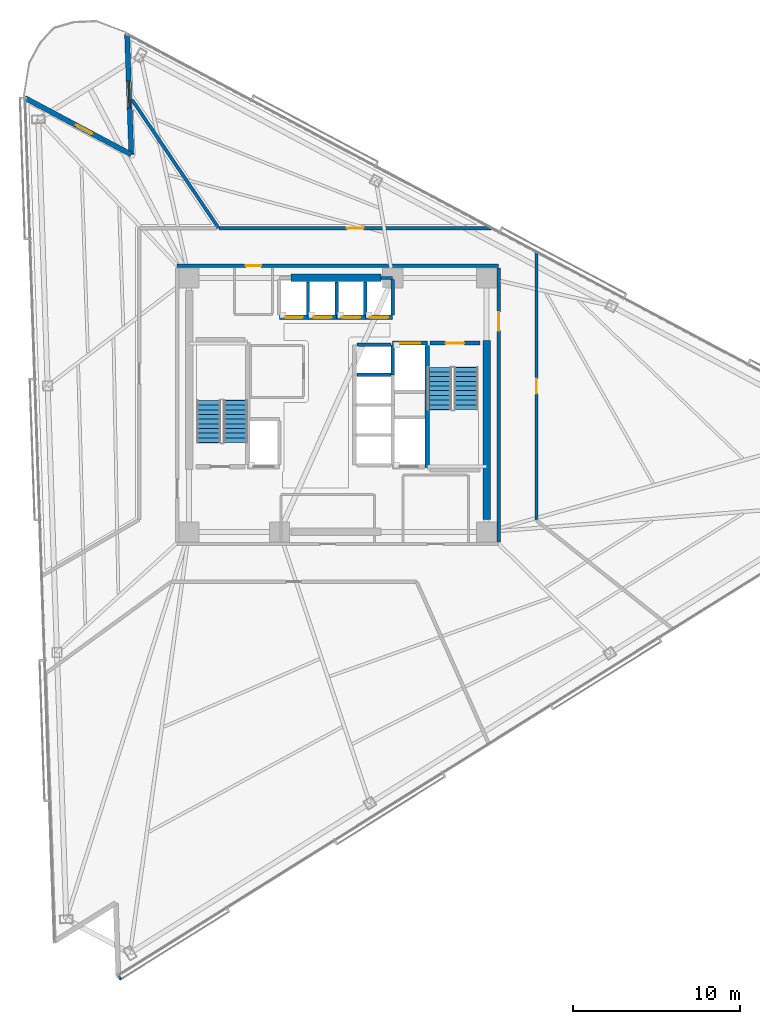
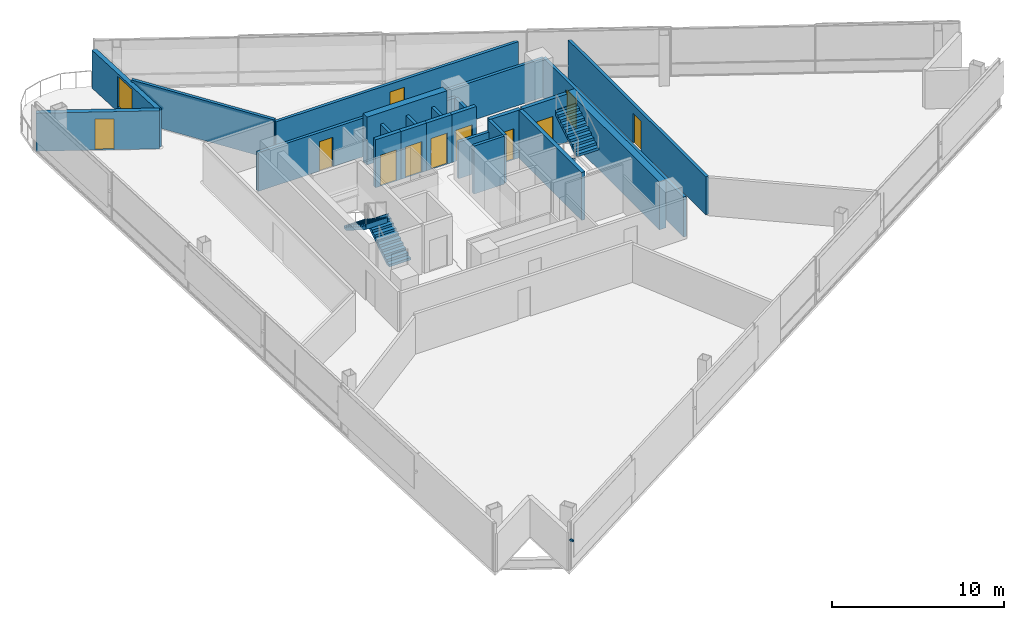
# One storey, part 13 of 18: 24 walls, 11 doors, 4 stair flights, 1 discrete accessory, 1 window, 12 openings, 2 elements without a shape of their own.
"""IFC4 building model written with IfcOpenShell, lengths in metres."""

from ifc_helpers import new_model, si_unit, direction, frame, frame_2d, origin, origin_2d, place, context, subcontext, project, spatial, polyline, rectangle, outline, extrude, material, layer, layer_set, type_object, element, fill, aggregate, save


model = new_model("IFC4")

# Units and contexts
model_context = context("Model", 3, precision=1e-05, world=origin(), true_north=direction((0.0, 1.0)))
body_context = subcontext(model_context, "Body", "Model", "MODEL_VIEW")
ifc_project = project(units=[si_unit("LENGTHUNIT", "METRE"), si_unit("AREAUNIT", "SQUARE_METRE"), si_unit("VOLUMEUNIT", "CUBIC_METRE"), si_unit("PLANEANGLEUNIT", "RADIAN"), si_unit("MASSUNIT", "GRAM", prefix="KILO")], contexts=[model_context])

# Site, building, storey
site_placement = place(None, origin())
site = spatial("IfcSite", under=ifc_project, at=site_placement, CompositionType="ELEMENT")
building_placement = place(site_placement, origin())
building = spatial("IfcBuilding", under=site, at=building_placement, Name="Tharavind Bronze Gate", CompositionType="ELEMENT")
storey_placement = place(building_placement, frame((0.0, 0.0, 153.199951171875)))
storey = spatial("IfcBuildingStorey", under=building, at=storey_placement, Name="L39", CompositionType="ELEMENT", Elevation=153.199951171875)

# Wall, opening, window
ifc_material_1 = material(Name="Concrete C40/50", Category="concrete")
ifc_layer_1 = layer(ifc_material_1, 0.300048828125)
ifc_layer_set_1 = layer_set([ifc_layer_1], Name="Concrete C40/50")
wall_type_1 = type_object("IfcWallType", Name="EXTERIOR SPANDREL WALL 300", PredefinedType="STANDARD", material=ifc_layer_set_1)
wall_1_placement = place(storey_placement, frame((-12.614013671875, 22.179931640625, 0.0), z_axis=(0.0, 0.0, 1.0), x_axis=(0.034925918675, -0.999389903994, 0.0)))
wall_1 = element("IfcWall", 1, at=wall_1_placement, inside=storey, type_object=wall_type_1, Name="L39 notch cheek wall 1A", PredefinedType="STANDARD", context=body_context, shape_type="SweptSolid", body=[
    extrude(rectangle(XDim=7.199951171875, YDim=0.300048828125, at=frame_2d((3.60009765625, 0.0))), origin(), (0.0, 0.0, 1.0), 2.705078125),
])
opening_1_placement = place(wall_1_placement, frame((2.800048828125, 0.0, 0.324951171875)))
opening_1 = element("IfcOpeningElement", 2, at=opening_1_placement, cuts=wall_1, Name="Opening W05", PredefinedType="OPENING", context=body_context, shape_type="SweptSolid", body=[
    extrude(rectangle(XDim=1.60009765625, YDim=2.199951171875, at=frame_2d((0.800048828125, 1.10009765625))), frame((0.0, 0.15990234375, 0.0), z_axis=(0.0, -1.0, 0.0), x_axis=(1.0, 0.0, 0.0)), (0.0, 0.0, 1.0), 0.320048828125),
])
ifc_material_2 = material(Name="Bronze Aluminium & Low-E Glass", Category="aluminium")
window_type = type_object("IfcWindowType", Name="OFFICE NOTCH BRONZE WINDOW 1600X2200", PartitioningType="DOUBLE_PANEL_VERTICAL", PredefinedType="WINDOW", material=ifc_material_2)
window_placement = place(opening_1_placement, origin())
window = element("IfcWindow", 3, at=window_placement, inside=storey, type_object=window_type, Name="L39 exterior window WL-L39-NCB1-01", OverallHeight=2.199951171875, OverallWidth=1.60009765625, PartitioningType="SINGLE_PANEL", PredefinedType="WINDOW", context=body_context, shape_type="SweptSolid", body=[
    extrude(rectangle(XDim=1.60009765625, YDim=2.199951171875, at=frame_2d((0.800048828125, 1.10009765625))), frame((0.0, 0.030029296875, 0.0), z_axis=(0.0, -1.0, 0.0), x_axis=(1.0, 0.0, 0.0)), (0.0, 0.0, 1.0), 0.06005859375),
])
fill(opening_1, window)

# Wall, opening, door
wall_2_placement = place(storey_placement, frame((-12.362548828125, 14.984375, 0.0), z_axis=(0.0, 0.0, 1.0), x_axis=(-0.882950149473, 0.469466754463, 0.0)))
wall_2 = element("IfcWall", 4, at=wall_2_placement, inside=storey, type_object=wall_type_1, Name="L39 notch cheek wall 1B", PredefinedType="STANDARD", context=body_context, shape_type="SweptSolid", body=[
    extrude(rectangle(XDim=7.199951171875, YDim=0.300048828125, at=frame_2d((3.60009765625, 0.0))), origin(), (0.0, 0.0, 1.0), 2.705078125),
])
opening_2_placement = place(wall_2_placement, frame((2.654052734375, 0.0, 0.0)))
opening_2 = element("IfcOpeningElement", 5, at=opening_2_placement, cuts=wall_2, Name="Opening ED04", PredefinedType="OPENING", context=body_context, shape_type="SweptSolid", body=[
    extrude(rectangle(XDim=1.10009765625, YDim=2.199951171875, at=frame_2d((0.550048828125, 1.10009765625))), frame((0.0, 0.15990234375, 0.0), z_axis=(0.0, -1.0, 0.0), x_axis=(1.0, 0.0, 0.0)), (0.0, 0.0, 1.0), 0.320048828125),
])
ifc_material_3 = material(Name="Bronze Aluminium & Toughened Glass", Category="aluminium")
door_type_1 = type_object("IfcDoorType", Name="TREE BALCONY ACCESS DOOR 1100X2200", OperationType="SINGLE_SWING_LEFT", PredefinedType="DOOR", material=ifc_material_3)
door_1_placement = place(opening_2_placement, frame((1.10009765625, 0.0, 0.0), z_axis=(0.0, 0.0, 1.0), x_axis=(-1.0, 0.0, 0.0)))
door_1 = element("IfcDoor", 6, at=door_1_placement, inside=storey, type_object=door_type_1, Name="L39 tree balcony access door", OperationType="SINGLE_SWING_LEFT", OverallHeight=2.199951171875, OverallWidth=1.10009765625, PredefinedType="DOOR", context=body_context, shape_type="SweptSolid", body=[
    extrude(rectangle(XDim=1.10009765625, YDim=2.199951171875, at=frame_2d((0.550048828125, 1.10009765625))), frame((0.0, 0.02490234375, 0.0), z_axis=(0.0, -1.0, 0.0), x_axis=(1.0, 0.0, 0.0)), (0.0, 0.0, 1.0), 0.050048828125),
])
fill(opening_2, door_1)

ifc_material_4 = material(Name="Aerated Concrete Block", Category="concrete")
ifc_layer_2 = layer(ifc_material_4, 0.199951171875)
ifc_layer_set_2 = layer_set([ifc_layer_2], Name="Aerated Concrete Block")
wall_type_2 = type_object("IfcWallType", Name="FIRE RATED PARTITION 200", PredefinedType="PARTITIONING", material=ifc_layer_set_2)
wall_3_placement = place(storey_placement, frame((9.6201171875, 8.320068359375, 0.0), z_axis=(0.0, 0.0, 1.0), x_axis=(-1.0, 0.0, 0.0)))
wall_3 = element("IfcWall", 7, at=wall_3_placement, inside=storey, type_object=wall_type_2, Name="L39 north core corridor wall", PredefinedType="PARTITIONING", context=body_context, shape_type="SweptSolid", body=[
    extrude(rectangle(XDim=19.240234375, YDim=0.199951171875, at=frame_2d((9.6201171875, 0.0))), origin(), (0.0, 0.0, 1.0), 2.755126953125),
])
opening_3_placement = place(wall_3_placement, frame((14.219970703125, 0.0, 0.0)))
opening_3 = element("IfcOpeningElement", 8, at=opening_3_placement, cuts=wall_3, Name="Opening ID07", PredefinedType="OPENING", context=body_context, shape_type="SweptSolid", body=[
    extrude(rectangle(XDim=0.89990234375, YDim=2.10009765625, at=frame_2d((0.449951171875, 1.050048828125))), frame((0.0, 0.11009765625, 0.0), z_axis=(0.0, -1.0, 0.0), x_axis=(1.0, 0.0, 0.0)), (0.0, 0.0, 1.0), 0.219951171875),
])
ifc_material_5 = material(Name="Galvanised Fire Steel", Category="steel")
door_type_2 = type_object("IfcDoorType", Name="PLANT AND RISER FIRE DOOR 900X2100", OperationType="SINGLE_SWING_LEFT", PredefinedType="DOOR", material=ifc_material_5)
door_2_placement = place(opening_3_placement, origin())
door_2 = element("IfcDoor", 9, at=door_2_placement, inside=storey, type_object=door_type_2, Name="L39 Electrical Switch Cupboard fire door", OperationType="SINGLE_SWING_LEFT", OverallHeight=2.10009765625, OverallWidth=0.89990234375, PredefinedType="DOOR", context=body_context, shape_type="SweptSolid", body=[
    extrude(rectangle(XDim=0.89990234375, YDim=2.10009765625, at=frame_2d((0.449951171875, 1.050048828125))), frame((0.0, 0.02490234375, 0.0), z_axis=(0.0, -1.0, 0.0), x_axis=(1.0, 0.0, 0.0)), (0.0, 0.0, 1.0), 0.050048828125),
])
fill(opening_3, door_2)

wall_4_placement = place(storey_placement, frame((9.6201171875, -8.199951171875, 0.0), z_axis=(0.0, 0.0, 1.0), x_axis=(0.0, 1.0, 0.0)))
wall_4 = element("IfcWall", 10, at=wall_4_placement, inside=storey, type_object=wall_type_2, Name="L39 east core corridor wall", PredefinedType="PARTITIONING", context=body_context, shape_type="SweptSolid", body=[
    extrude(rectangle(XDim=16.39990234375, YDim=0.199951171875, at=frame_2d((8.199951171875, 0.0))), origin(), (0.0, 0.0, 1.0), 2.85498046875),
])
opening_4_placement = place(wall_4_placement, frame((12.64990234375, 0.0, 0.0)))
opening_4 = element("IfcOpeningElement", 11, at=opening_4_placement, cuts=wall_4, Name="Opening ID01", PredefinedType="OPENING", context=body_context, shape_type="SweptSolid", body=[
    extrude(rectangle(XDim=1.10009765625, YDim=2.14990234375, at=frame_2d((0.550048828125, 1.074951171875))), frame((0.0, 0.11009765625, 0.0), z_axis=(0.0, -1.0, 0.0), x_axis=(1.0, 0.0, 0.0)), (0.0, 0.0, 1.0), 0.219951171875),
])
ifc_material_6 = material(Name="Fire-Rated Steel", Category="steel")
door_type_3 = type_object("IfcDoorType", Name="STAIR CORE FIRE DOOR 1100X2150", OperationType="SINGLE_SWING_LEFT", PredefinedType="DOOR", material=ifc_material_6)
door_3_placement = place(opening_4_placement, frame((1.10009765625, 0.0, 0.0), z_axis=(0.0, 0.0, 1.0), x_axis=(-1.0, 0.0, 0.0)))
door_3 = element("IfcDoor", 12, at=door_3_placement, inside=storey, type_object=door_type_3, Name="L39 north east stair lobby fire door", OperationType="SINGLE_SWING_LEFT", OverallHeight=2.14990234375, OverallWidth=1.10009765625, PredefinedType="DOOR", context=body_context, shape_type="SweptSolid", body=[
    extrude(rectangle(XDim=1.10009765625, YDim=2.14990234375, at=frame_2d((0.550048828125, 1.074951171875))), frame((0.0, 0.02490234375, 0.0), z_axis=(0.0, -1.0, 0.0), x_axis=(1.0, 0.0, 0.0)), (0.0, 0.0, 1.0), 0.050048828125),
])
fill(opening_4, door_3)

wall_5_placement = place(storey_placement, frame((9.202392578125, 10.580078125, 0.0), z_axis=(0.0, 0.0, 1.0), x_axis=(-1.0, 0.0, 0.0)))
wall_5 = element("IfcWall", 13, at=wall_5_placement, inside=storey, type_object=wall_type_2, Name="L39 Industrial Design Open Studio partition", PredefinedType="PARTITIONING", context=body_context, shape_type="SweptSolid", body=[
    extrude(rectangle(XDim=16.325439453125, YDim=0.199951171875, at=frame_2d((8.16259765625, 0.0))), origin(), (0.0, 0.0, 1.0), 2.705078125),
])
opening_5_placement = place(wall_5_placement, frame((7.6630859375, 0.0, 0.0)))
opening_5 = element("IfcOpeningElement", 14, at=opening_5_placement, cuts=wall_5, Name="Opening ID04", PredefinedType="OPENING", context=body_context, shape_type="SweptSolid", body=[
    extrude(rectangle(XDim=1.0, YDim=2.14990234375, at=frame_2d((0.5, 1.074951171875))), frame((0.0, 0.11009765625, 0.0), z_axis=(0.0, -1.0, 0.0), x_axis=(1.0, 0.0, 0.0)), (0.0, 0.0, 1.0), 0.219951171875),
])
ifc_material_7 = material(Name="Bronze Framed Acoustic Timber", Category="wood")
door_type_4 = type_object("IfcDoorType", Name="OFFICE TENANCY DOOR 1000X2150", OperationType="SINGLE_SWING_RIGHT", PredefinedType="DOOR", material=ifc_material_7)
door_4_placement = place(opening_5_placement, origin())
door_4 = element("IfcDoor", 15, at=door_4_placement, inside=storey, type_object=door_type_4, Name="L39 Industrial Design Open Studio door", OperationType="SINGLE_SWING_RIGHT", OverallHeight=2.14990234375, OverallWidth=1.0, PredefinedType="DOOR", context=body_context, shape_type="SweptSolid", body=[
    extrude(rectangle(XDim=1.0, YDim=2.14990234375, at=frame_2d((0.5, 1.074951171875))), frame((0.0, 0.02490234375, 0.0), z_axis=(0.0, -1.0, 0.0), x_axis=(1.0, 0.0, 0.0)), (0.0, 0.0, 1.0), 0.050048828125),
])
fill(opening_5, door_4)

# Wall
wall_6_placement = place(storey_placement, frame((-7.143798828125, 10.591064453125, 0.0), z_axis=(0.0, 0.0, 1.0), x_axis=(-0.559200245239, 0.829032620423, 0.0)))
element("IfcWall", 16, at=wall_6_placement, inside=storey, type_object=wall_type_2, Name="L39 Industrial Design Open Studio partition", PredefinedType="PARTITIONING", context=body_context, shape_type="SweptSolid", body=[
    extrude(rectangle(XDim=9.260498046875, YDim=0.199951171875, at=frame_2d((4.63037109375, 0.0))), origin(), (0.0, 0.0, 1.0), 2.85498046875),
])

# Wall, opening, door
wall_7_placement = place(storey_placement, frame((11.8798828125, -6.891357421875, 0.0), z_axis=(0.0, 0.0, 1.0), x_axis=(0.0, 1.0, 0.0)))
wall_7 = element("IfcWall", 17, at=wall_7_placement, inside=storey, type_object=wall_type_2, Name="L39 Design Tea Pantry partition", PredefinedType="PARTITIONING", context=body_context, shape_type="SweptSolid", body=[
    extrude(rectangle(XDim=16.047607421875, YDim=0.199951171875, at=frame_2d((8.02392578125, 0.0))), origin(), (0.0, 0.0, 1.0), 2.705078125),
])
opening_6_placement = place(wall_7_placement, frame((7.573974609375, 0.0, 0.0)))
opening_6 = element("IfcOpeningElement", 18, at=opening_6_placement, cuts=wall_7, Name="Opening ID07", PredefinedType="OPENING", context=body_context, shape_type="SweptSolid", body=[
    extrude(rectangle(XDim=0.89990234375, YDim=2.10009765625, at=frame_2d((0.449951171875, 1.050048828125))), frame((0.0, 0.11009765625, 0.0), z_axis=(0.0, -1.0, 0.0), x_axis=(1.0, 0.0, 0.0)), (0.0, 0.0, 1.0), 0.219951171875),
])
door_5_placement = place(opening_6_placement, origin())
door_5 = element("IfcDoor", 19, at=door_5_placement, inside=storey, type_object=door_type_2, Name="L39 Design Tea Pantry door", OperationType="SINGLE_SWING_LEFT", OverallHeight=2.10009765625, OverallWidth=0.89990234375, PredefinedType="DOOR", context=body_context, shape_type="SweptSolid", body=[
    extrude(rectangle(XDim=0.89990234375, YDim=2.10009765625, at=frame_2d((0.449951171875, 1.050048828125))), frame((0.0, 0.02490234375, 0.0), z_axis=(0.0, -1.0, 0.0), x_axis=(1.0, 0.0, 0.0)), (0.0, 0.0, 1.0), 0.050048828125),
])
fill(opening_6, door_5)

# Wall
ifc_material_8 = material(Name="Concrete C50/60", Category="concrete")
ifc_layer_3 = layer(ifc_material_8, 0.25)
ifc_layer_set_3 = layer_set([ifc_layer_3], Name="Concrete C50/60")
wall_type_3 = type_object("IfcWallType", Name="RC CORE SHEAR WALL 250", PredefinedType="SHEAR", material=ifc_layer_set_3)
wall_8_placement = place(storey_placement, frame((5.35009765625, -3.75, 0.0), z_axis=(0.0, 0.0, 1.0), x_axis=(0.0, 1.0, 0.0)))
element("IfcWall", 20, at=wall_8_placement, inside=storey, type_object=wall_type_3, Name="L39 ST2 shaft west wall", PredefinedType="SHEAR", context=body_context, shape_type="SweptSolid", body=[
    extrude(rectangle(XDim=7.300048828125, YDim=0.25, at=frame_2d((3.64990234375, 0.0))), origin(), (0.0, 0.0, 1.0), 3.41015625),
])

# Wall, opening, door
wall_9_placement = place(storey_placement, frame((5.5, 3.699951171875, 0.0), z_axis=(0.0, 0.0, 1.0), x_axis=(1.0, 0.0, 0.0)))
wall_9 = element("IfcWall", 21, at=wall_9_placement, inside=storey, type_object=wall_type_3, Name="L39 ST2 shaft north wall", PredefinedType="SHEAR", context=body_context, shape_type="SweptSolid", body=[
    extrude(rectangle(XDim=3.0, YDim=0.25, at=frame_2d((1.5, 0.0))), origin(), (0.0, 0.0, 1.0), 3.41015625),
])
opening_7_placement = place(wall_9_placement, frame((0.949951171875, 0.0, 0.0)))
opening_7 = element("IfcOpeningElement", 22, at=opening_7_placement, cuts=wall_9, Name="Opening ID01", PredefinedType="OPENING", context=body_context, shape_type="SweptSolid", body=[
    extrude(rectangle(XDim=1.10009765625, YDim=2.14990234375, at=frame_2d((0.550048828125, 1.074951171875))), frame((0.0, 0.135, 0.0), z_axis=(0.0, -1.0, 0.0), x_axis=(1.0, 0.0, 0.0)), (0.0, 0.0, 1.0), 0.27),
])
door_6_placement = place(opening_7_placement, frame((1.10009765625, 0.0, 0.0), z_axis=(0.0, 0.0, 1.0), x_axis=(-1.0, 0.0, 0.0)))
door_6 = element("IfcDoor", 23, at=door_6_placement, inside=storey, type_object=door_type_3, Name="L39 exit stair ST2 fire door", OperationType="SINGLE_SWING_LEFT", OverallHeight=2.14990234375, OverallWidth=1.10009765625, PredefinedType="DOOR", context=body_context, shape_type="SweptSolid", body=[
    extrude(rectangle(XDim=1.10009765625, YDim=2.14990234375, at=frame_2d((0.550048828125, 1.074951171875))), frame((0.0, 0.02490234375, 0.0), z_axis=(0.0, -1.0, 0.0), x_axis=(1.0, 0.0, 0.0)), (0.0, 0.0, 1.0), 0.050048828125),
])
fill(opening_7, door_6)

wall_10_placement = place(storey_placement, frame((-3.5, 5.25, 0.0), z_axis=(0.0, 0.0, 1.0), x_axis=(1.0, 0.0, 0.0)))
wall_10 = element("IfcWall", 24, at=wall_10_placement, inside=storey, type_object=wall_type_3, Name="L39 lift PL5 shaft front wall", PredefinedType="SHEAR", context=body_context, shape_type="SweptSolid", body=[
    extrude(rectangle(XDim=1.71240234375, YDim=0.25, at=frame_2d((0.856201171875, 0.0))), origin(), (0.0, 0.0, 1.0), 3.41015625),
])
opening_8_placement = place(wall_10_placement, frame((0.305908203125, 0.0, 0.0)))
opening_8 = element("IfcOpeningElement", 25, at=opening_8_placement, cuts=wall_10, Name="Opening LD01", PredefinedType="OPENING", context=body_context, shape_type="SweptSolid", body=[
    extrude(rectangle(XDim=1.10009765625, YDim=2.199951171875, at=frame_2d((0.550048828125, 1.10009765625))), frame((0.0, 0.135, 0.0), z_axis=(0.0, -1.0, 0.0), x_axis=(1.0, 0.0, 0.0)), (0.0, 0.0, 1.0), 0.27),
])
ifc_material_9 = material(Name="Brushed Bronze Stainless Steel", Category="steel")
door_type_5 = type_object("IfcDoorType", Name="LIFT LANDING SLIDING DOOR 1100X2200", OperationType="SLIDING_TO_LEFT", PredefinedType="DOOR", material=ifc_material_9)
door_7_placement = place(opening_8_placement, origin())
door_7 = element("IfcDoor", 26, at=door_7_placement, inside=storey, type_object=door_type_5, Name="L39 lift PL5 sliding landing door", OperationType="SLIDING_TO_LEFT", OverallHeight=2.199951171875, OverallWidth=1.10009765625, PredefinedType="DOOR", context=body_context, shape_type="SweptSolid", body=[
    extrude(rectangle(XDim=1.10009765625, YDim=2.199951171875, at=frame_2d((0.550048828125, 1.10009765625))), frame((0.0, 0.02490234375, 0.0), z_axis=(0.0, -1.0, 0.0), x_axis=(1.0, 0.0, 0.0)), (0.0, 0.0, 1.0), 0.050048828125),
])
fill(opening_8, door_7)

wall_11_placement = place(storey_placement, frame((-1.78759765625, 5.25, 0.0), z_axis=(0.0, 0.0, 1.0), x_axis=(1.0, 0.0, 0.0)))
wall_11 = element("IfcWall", 27, at=wall_11_placement, inside=storey, type_object=wall_type_3, Name="L39 lift PL6 shaft front wall", PredefinedType="SHEAR", context=body_context, shape_type="SweptSolid", body=[
    extrude(rectangle(XDim=1.712646484375, YDim=0.25, at=frame_2d((0.8564453125, 0.0))), origin(), (0.0, 0.0, 1.0), 3.41015625),
])
opening_9_placement = place(wall_11_placement, frame((0.305908203125, 0.0, 0.0)))
opening_9 = element("IfcOpeningElement", 28, at=opening_9_placement, cuts=wall_11, Name="Opening LD01", PredefinedType="OPENING", context=body_context, shape_type="SweptSolid", body=[
    extrude(rectangle(XDim=1.10009765625, YDim=2.199951171875, at=frame_2d((0.550048828125, 1.10009765625))), frame((0.0, 0.135, 0.0), z_axis=(0.0, -1.0, 0.0), x_axis=(1.0, 0.0, 0.0)), (0.0, 0.0, 1.0), 0.27),
])
door_8_placement = place(opening_9_placement, origin())
door_8 = element("IfcDoor", 29, at=door_8_placement, inside=storey, type_object=door_type_5, Name="L39 lift PL6 sliding landing door", OperationType="SLIDING_TO_LEFT", OverallHeight=2.199951171875, OverallWidth=1.10009765625, PredefinedType="DOOR", context=body_context, shape_type="SweptSolid", body=[
    extrude(rectangle(XDim=1.10009765625, YDim=2.199951171875, at=frame_2d((0.550048828125, 1.10009765625))), frame((0.0, 0.02490234375, 0.0), z_axis=(0.0, -1.0, 0.0), x_axis=(1.0, 0.0, 0.0)), (0.0, 0.0, 1.0), 0.050048828125),
])
fill(opening_9, door_8)

wall_12_placement = place(storey_placement, frame((-0.074951171875, 5.25, 0.0), z_axis=(0.0, 0.0, 1.0), x_axis=(1.0, 0.0, 0.0)))
wall_12 = element("IfcWall", 30, at=wall_12_placement, inside=storey, type_object=wall_type_3, Name="L39 lift PL7 shaft front wall", PredefinedType="SHEAR", context=body_context, shape_type="SweptSolid", body=[
    extrude(rectangle(XDim=1.71240234375, YDim=0.25, at=frame_2d((0.856201171875, 0.0))), origin(), (0.0, 0.0, 1.0), 3.41015625),
])
opening_10_placement = place(wall_12_placement, frame((0.305908203125, 0.0, 0.0)))
opening_10 = element("IfcOpeningElement", 31, at=opening_10_placement, cuts=wall_12, Name="Opening LD01", PredefinedType="OPENING", context=body_context, shape_type="SweptSolid", body=[
    extrude(rectangle(XDim=1.10009765625, YDim=2.199951171875, at=frame_2d((0.550048828125, 1.10009765625))), frame((0.0, 0.135, 0.0), z_axis=(0.0, -1.0, 0.0), x_axis=(1.0, 0.0, 0.0)), (0.0, 0.0, 1.0), 0.27),
])
door_9_placement = place(opening_10_placement, origin())
door_9 = element("IfcDoor", 32, at=door_9_placement, inside=storey, type_object=door_type_5, Name="L39 lift PL7 sliding landing door", OperationType="SLIDING_TO_LEFT", OverallHeight=2.199951171875, OverallWidth=1.10009765625, PredefinedType="DOOR", context=body_context, shape_type="SweptSolid", body=[
    extrude(rectangle(XDim=1.10009765625, YDim=2.199951171875, at=frame_2d((0.550048828125, 1.10009765625))), frame((0.0, 0.02490234375, 0.0), z_axis=(0.0, -1.0, 0.0), x_axis=(1.0, 0.0, 0.0)), (0.0, 0.0, 1.0), 0.050048828125),
])
fill(opening_10, door_9)

wall_13_placement = place(storey_placement, frame((1.637451171875, 5.25, 0.0), z_axis=(0.0, 0.0, 1.0), x_axis=(1.0, 0.0, 0.0)))
wall_13 = element("IfcWall", 33, at=wall_13_placement, inside=storey, type_object=wall_type_3, Name="L39 lift PL8 shaft front wall", PredefinedType="SHEAR", context=body_context, shape_type="SweptSolid", body=[
    extrude(rectangle(XDim=1.642578125, YDim=0.25, at=frame_2d((0.8212890625, 0.0))), origin(), (0.0, 0.0, 1.0), 3.41015625),
])
opening_11_placement = place(wall_13_placement, frame((0.27099609375, 0.0, 0.0)))
opening_11 = element("IfcOpeningElement", 34, at=opening_11_placement, cuts=wall_13, Name="Opening LD01", PredefinedType="OPENING", context=body_context, shape_type="SweptSolid", body=[
    extrude(rectangle(XDim=1.10009765625, YDim=2.199951171875, at=frame_2d((0.550048828125, 1.10009765625))), frame((0.0, 0.135, 0.0), z_axis=(0.0, -1.0, 0.0), x_axis=(1.0, 0.0, 0.0)), (0.0, 0.0, 1.0), 0.27),
])
door_10_placement = place(opening_11_placement, origin())
door_10 = element("IfcDoor", 35, at=door_10_placement, inside=storey, type_object=door_type_5, Name="L39 lift PL8 sliding landing door", OperationType="SLIDING_TO_LEFT", OverallHeight=2.199951171875, OverallWidth=1.10009765625, PredefinedType="DOOR", context=body_context, shape_type="SweptSolid", body=[
    extrude(rectangle(XDim=1.10009765625, YDim=2.199951171875, at=frame_2d((0.550048828125, 1.10009765625))), frame((0.0, 0.02490234375, 0.0), z_axis=(0.0, -1.0, 0.0), x_axis=(1.0, 0.0, 0.0)), (0.0, 0.0, 1.0), 0.050048828125),
])
fill(opening_11, door_10)

wall_14_placement = place(storey_placement, frame((3.280029296875, 3.699951171875, 0.0), z_axis=(0.0, 0.0, 1.0), x_axis=(1.0, 0.0, 0.0)))
wall_14 = element("IfcWall", 36, at=wall_14_placement, inside=storey, type_object=wall_type_3, Name="L39 lift FFL2 shaft front wall", PredefinedType="SHEAR", context=body_context, shape_type="SweptSolid", body=[
    extrude(rectangle(XDim=2.070068359375, YDim=0.25, at=frame_2d((1.03515625, 0.0))), origin(), (0.0, 0.0, 1.0), 3.41015625),
])
opening_12_placement = place(wall_14_placement, frame((0.43505859375, 0.0, 0.0)))
opening_12 = element("IfcOpeningElement", 37, at=opening_12_placement, cuts=wall_14, Name="Opening LD02", PredefinedType="OPENING", context=body_context, shape_type="SweptSolid", body=[
    extrude(rectangle(XDim=1.199951171875, YDim=2.199951171875, at=frame_2d((0.60009765625, 1.10009765625))), frame((0.0, 0.135, 0.0), z_axis=(0.0, -1.0, 0.0), x_axis=(1.0, 0.0, 0.0)), (0.0, 0.0, 1.0), 0.27),
])
ifc_material_10 = material(Name="Brushed Stainless Steel", Category="steel")
door_type_6 = type_object("IfcDoorType", Name="FIREFIGHTING LIFT LANDING DOOR 1200X2200", OperationType="SLIDING_TO_RIGHT", PredefinedType="DOOR", material=ifc_material_10)
door_11_placement = place(opening_12_placement, origin())
door_11 = element("IfcDoor", 38, at=door_11_placement, inside=storey, type_object=door_type_6, Name="L39 lift FFL2 sliding landing door", OperationType="SLIDING_TO_RIGHT", OverallHeight=2.199951171875, OverallWidth=1.199951171875, PredefinedType="DOOR", context=body_context, shape_type="SweptSolid", body=[
    extrude(rectangle(XDim=1.199951171875, YDim=2.199951171875, at=frame_2d((0.60009765625, 1.10009765625))), frame((0.0, 0.02490234375, 0.0), z_axis=(0.0, -1.0, 0.0), x_axis=(1.0, 0.0, 0.0)), (0.0, 0.0, 1.0), 0.050048828125),
])
fill(opening_12, door_11)

# Walls
ifc_material_11 = material(Name="Concrete C60/75", Category="concrete")
ifc_layer_4 = layer(ifc_material_11, 0.449951171875)
ifc_layer_set_4 = layer_set([ifc_layer_4], Name="Concrete C60/75")
wall_type_4 = type_object("IfcWallType", Name="RC CORE SHEAR WALL 450", PredefinedType="SHEAR", material=ifc_layer_set_4)
wall_15_placement = place(storey_placement, frame((-2.800048828125, 7.60009765625, 0.0), z_axis=(0.0, 0.0, 1.0), x_axis=(1.0, 0.0, 0.0)))
element("IfcWall", 39, at=wall_15_placement, inside=storey, type_object=wall_type_4, Name="L39 north core shear wall", PredefinedType="SHEAR", context=body_context, shape_type="SweptSolid", body=[
    extrude(rectangle(XDim=5.380126953125, YDim=0.449951171875, at=frame_2d((2.68994140625, 0.0))), origin(), (0.0, 0.0, 1.0), 3.41015625),
])
wall_16_placement = place(storey_placement, frame((8.89990234375, -6.85009765625, 0.0), z_axis=(0.0, 0.0, 1.0), x_axis=(0.0, 1.0, 0.0)))
element("IfcWall", 40, at=wall_16_placement, inside=storey, type_object=wall_type_4, Name="L39 east core shear wall", PredefinedType="SHEAR", context=body_context, shape_type="SweptSolid", body=[
    extrude(rectangle(XDim=10.7001953125, YDim=0.449951171875, at=frame_2d((5.35009765625, 0.0))), origin(), (0.0, 0.0, 1.0), 3.41015625),
])
ifc_layer_5 = layer(ifc_material_1, 0.199951171875)
ifc_layer_set_5 = layer_set([ifc_layer_5], Name="Concrete C40/50")
wall_type_5 = type_object("IfcWallType", Name="SHAFT ENCLOSURE WALL 200", PredefinedType="PARTITIONING", material=ifc_layer_set_5)
for number, where, z_axis, x_axis, name in (
    (41, (-1.78759765625, 5.3798828125, 0.0), (0.0, 0.0, 1.0), (0.0, 1.0, 0.0), "L39 lift PL5 shaft E enclosure wall"),
    (42, (-0.074951171875, 5.3798828125, 0.0), (0.0, 0.0, 1.0), (0.0, 1.0, 0.0), "L39 lift PL6 shaft E enclosure wall"),
    (43, (1.637451171875, 5.3798828125, 0.0), (0.0, 0.0, 1.0), (0.0, 1.0, 0.0), "L39 lift PL7 shaft E enclosure wall"),
):
    element("IfcWall", number, at=place(storey_placement, frame(where, z_axis=z_axis, x_axis=x_axis)), inside=storey, type_object=wall_type_5, Name=name, PredefinedType="PARTITIONING", context=body_context, shape_type="SweptSolid", body=[
        extrude(rectangle(XDim=1.990234375, YDim=0.199951171875, at=frame_2d((0.9951171875, 0.0))), origin(), (0.0, 0.0, 1.0), 2.60498046875),
    ])
wall_17_placement = place(storey_placement, frame((2.580078125, 7.60009765625, 0.0), z_axis=(0.0, 0.0, 1.0), x_axis=(1.0, 0.0, 0.0)))
element("IfcWall", 44, at=wall_17_placement, inside=storey, type_object=wall_type_5, Name="L39 lift PL8 shaft N enclosure wall", PredefinedType="PARTITIONING", context=body_context, shape_type="SweptSolid", body=[
    extrude(rectangle(XDim=0.699951171875, YDim=0.199951171875, at=frame_2d((0.35009765625, 0.0))), origin(), (0.0, 0.0, 1.0), 2.60498046875),
])
wall_18_placement = place(storey_placement, frame((3.280029296875, 5.3798828125, 0.0), z_axis=(0.0, 0.0, 1.0), x_axis=(0.0, 1.0, 0.0)))
element("IfcWall", 45, at=wall_18_placement, inside=storey, type_object=wall_type_5, Name="L39 lift PL8 shaft E enclosure wall", PredefinedType="PARTITIONING", context=body_context, shape_type="SweptSolid", body=[
    extrude(rectangle(XDim=2.115234375, YDim=0.199951171875, at=frame_2d((1.0576171875, 0.0))), origin(), (0.0, 0.0, 1.0), 2.60498046875),
])
wall_19_placement = place(storey_placement, frame((1.1298828125, 1.800048828125, 0.0), z_axis=(0.0, 0.0, 1.0), x_axis=(1.0, 0.0, 0.0)))
element("IfcWall", 46, at=wall_19_placement, inside=storey, type_object=wall_type_5, Name="L39 lift PL11 shaft N enclosure wall", PredefinedType="PARTITIONING", context=body_context, shape_type="SweptSolid", body=[
    extrude(rectangle(XDim=2.045166015625, YDim=0.199951171875, at=frame_2d((1.0224609375, 0.0))), origin(), (0.0, 0.0, 1.0), 3.41015625),
])
wall_20_placement = place(storey_placement, frame((3.280029296875, 1.800048828125, 0.0), z_axis=(0.0, 0.0, 1.0), x_axis=(0.0, 1.0, 0.0)))
element("IfcWall", 47, at=wall_20_placement, inside=storey, type_object=wall_type_5, Name="L39 lift PL12 shaft E enclosure wall", PredefinedType="PARTITIONING", context=body_context, shape_type="SweptSolid", body=[
    extrude(rectangle(XDim=1.800048828125, YDim=0.199951171875, at=frame_2d((0.89990234375, 0.0))), origin(), (0.0, 0.0, 1.0), 3.41015625),
])
wall_21_placement = place(storey_placement, frame((1.1298828125, 3.60009765625, 0.0), z_axis=(0.0, 0.0, 1.0), x_axis=(1.0, 0.0, 0.0)))
element("IfcWall", 48, at=wall_21_placement, inside=storey, type_object=wall_type_5, Name="L39 lift PL12 shaft N enclosure wall", PredefinedType="PARTITIONING", context=body_context, shape_type="SweptSolid", body=[
    extrude(rectangle(XDim=2.045166015625, YDim=0.199951171875, at=frame_2d((1.0224609375, 0.0))), origin(), (0.0, 0.0, 1.0), 2.60498046875),
])

# Stair, stair flights
stair_type = type_object("IfcStairType", Name="CORE HALF TURN STAIR 1450", PredefinedType="HALF_TURN_STAIR", material=ifc_material_1)
stair_1_placement = place(storey_placement, origin())
stair_1 = element("IfcStair", 49, at=stair_1_placement, inside=storey, type_object=stair_type, Name="L39 Protected Exit Stair ST1", PredefinedType="HALF_TURN_STAIR")
stair_flight_type = type_object("IfcStairFlightType", Name="CORE STAIR FLIGHT 1450", PredefinedType="STRAIGHT", material=ifc_material_1)
stair_flight_1_placement = place(storey_placement, frame((-6.125, -2.25, 0.0), z_axis=(0.0, 0.0, 1.0), x_axis=(0.0, 1.0, 0.0)))
stair_flight_1 = element("IfcStairFlight", 50, at=stair_flight_1_placement, type_object=stair_flight_type, Name="ST1 flight 1", NumberOfRisers=10, NumberOfTreads=9, PredefinedType="STRAIGHT", RiserHeight=0.18, TreadLength=0.28, context=body_context, shape_type="SweptSolid", body=[
    extrude(outline(polyline([(0.0, 0.0), (0.0, 0.179931640625), (0.280029296875, 0.179931640625), (0.280029296875, 0.360107421875), (0.56005859375, 0.360107421875), (0.56005859375, 0.5400390625), (0.840087890625, 0.5400390625), (0.840087890625, 0.719970703125), (1.1201171875, 0.719970703125), (1.1201171875, 0.89990234375), (1.39990234375, 0.89990234375), (1.39990234375, 1.080078125), (1.679931640625, 1.080078125), (1.679931640625, 1.260009765625), (1.9599609375, 1.260009765625), (1.9599609375, 1.43994140625), (2.239990234375, 1.43994140625), (2.239990234375, 1.6201171875), (2.52001953125, 1.6201171875), (2.52001953125, 1.800048828125), (2.555908203125, 1.800048828125), (2.555908203125, 1.44189453125), (0.277099609375, 0.0), (0.0, 0.0)])), frame((0.0, 0.72509765625, 0.0), z_axis=(0.0, -1.0, 0.0), x_axis=(1.0, 0.0, 0.0)), (0.0, 0.0, 1.0), 1.449951171875),
])
stair_flight_2_placement = place(storey_placement, frame((-7.72509765625, 0.27001953125, 1.800048828125), z_axis=(0.0, 0.0, 1.0), x_axis=(0.0, -1.0, 0.0)))
stair_flight_2 = element("IfcStairFlight", 51, at=stair_flight_2_placement, type_object=stair_flight_type, Name="ST1 flight 2", NumberOfRisers=10, NumberOfTreads=9, PredefinedType="STRAIGHT", RiserHeight=0.18, TreadLength=0.28, context=body_context, shape_type="SweptSolid", body=[
    extrude(outline(polyline([(0.0, 0.0), (0.0, 0.179931640625), (0.280029296875, 0.179931640625), (0.280029296875, 0.360107421875), (0.56005859375, 0.360107421875), (0.56005859375, 0.5400390625), (0.840087890625, 0.5400390625), (0.840087890625, 0.719970703125), (1.1201171875, 0.719970703125), (1.1201171875, 0.89990234375), (1.39990234375, 0.89990234375), (1.39990234375, 1.080078125), (1.679931640625, 1.080078125), (1.679931640625, 1.260009765625), (1.9599609375, 1.260009765625), (1.9599609375, 1.43994140625), (2.239990234375, 1.43994140625), (2.239990234375, 1.6201171875), (2.52001953125, 1.6201171875), (2.52001953125, 1.800048828125), (2.555908203125, 1.800048828125), (2.555908203125, 1.44189453125), (0.277099609375, 0.0), (0.0, 0.0)])), frame((0.0, 0.72509765625, 0.0), z_axis=(0.0, -1.0, 0.0), x_axis=(1.0, 0.0, 0.0)), (0.0, 0.0, 1.0), 1.449951171875),
])
aggregate(stair_1, [stair_flight_1, stair_flight_2])

stair_2_placement = place(storey_placement, origin())
stair_2 = element("IfcStair", 52, at=stair_2_placement, inside=storey, type_object=stair_type, Name="L39 Protected Exit Stair ST2", PredefinedType="HALF_TURN_STAIR")
stair_flight_3_placement = place(storey_placement, frame((6.074951171875, 2.25, 0.0), z_axis=(0.0, 0.0, 1.0), x_axis=(0.0, -1.0, 0.0)))
stair_flight_3 = element("IfcStairFlight", 53, at=stair_flight_3_placement, type_object=stair_flight_type, Name="ST2 flight 1", NumberOfRisers=10, NumberOfTreads=9, PredefinedType="STRAIGHT", RiserHeight=0.18, TreadLength=0.28, context=body_context, shape_type="SweptSolid", body=[
    extrude(outline(polyline([(0.0, 0.0), (0.0, 0.179931640625), (0.280029296875, 0.179931640625), (0.280029296875, 0.360107421875), (0.56005859375, 0.360107421875), (0.56005859375, 0.5400390625), (0.840087890625, 0.5400390625), (0.840087890625, 0.719970703125), (1.1201171875, 0.719970703125), (1.1201171875, 0.89990234375), (1.39990234375, 0.89990234375), (1.39990234375, 1.080078125), (1.679931640625, 1.080078125), (1.679931640625, 1.260009765625), (1.9599609375, 1.260009765625), (1.9599609375, 1.43994140625), (2.239990234375, 1.43994140625), (2.239990234375, 1.6201171875), (2.52001953125, 1.6201171875), (2.52001953125, 1.800048828125), (2.555908203125, 1.800048828125), (2.555908203125, 1.44189453125), (0.277099609375, 0.0), (0.0, 0.0)])), frame((0.0, 0.72509765625, 0.0), z_axis=(0.0, -1.0, 0.0), x_axis=(1.0, 0.0, 0.0)), (0.0, 0.0, 1.0), 1.449951171875),
])
stair_flight_4_placement = place(storey_placement, frame((7.675048828125, -0.27001953125, 1.800048828125), z_axis=(0.0, 0.0, 1.0), x_axis=(0.0, 1.0, 0.0)))
stair_flight_4 = element("IfcStairFlight", 54, at=stair_flight_4_placement, type_object=stair_flight_type, Name="ST2 flight 2", NumberOfRisers=10, NumberOfTreads=9, PredefinedType="STRAIGHT", RiserHeight=0.18, TreadLength=0.28, context=body_context, shape_type="SweptSolid", body=[
    extrude(outline(polyline([(0.0, 0.0), (0.0, 0.179931640625), (0.280029296875, 0.179931640625), (0.280029296875, 0.360107421875), (0.56005859375, 0.360107421875), (0.56005859375, 0.5400390625), (0.840087890625, 0.5400390625), (0.840087890625, 0.719970703125), (1.1201171875, 0.719970703125), (1.1201171875, 0.89990234375), (1.39990234375, 0.89990234375), (1.39990234375, 1.080078125), (1.679931640625, 1.080078125), (1.679931640625, 1.260009765625), (1.9599609375, 1.260009765625), (1.9599609375, 1.43994140625), (2.239990234375, 1.43994140625), (2.239990234375, 1.6201171875), (2.52001953125, 1.6201171875), (2.52001953125, 1.800048828125), (2.555908203125, 1.800048828125), (2.555908203125, 1.44189453125), (0.277099609375, 0.0), (0.0, 0.0)])), frame((0.0, 0.72509765625, 0.0), z_axis=(0.0, -1.0, 0.0), x_axis=(1.0, 0.0, 0.0)), (0.0, 0.0, 1.0), 1.449951171875),
])
aggregate(stair_2, [stair_flight_3, stair_flight_4])

# Discrete accessory
ifc_material_12 = material(Name="Stainless Steel 316", Category="steel")
discrete_accessory_type = type_object("IfcDiscreteAccessoryType", Name="SOLAR SCREEN STANDOFF BRACKET", PredefinedType="BRACKET", material=ifc_material_12)
discrete_accessory_placement = place(storey_placement, frame((-13.048095703125, -34.27294921875, 2.094970703125), z_axis=(0.0, 0.0, 1.0), x_axis=(0.848048096156, 0.529919264233, 0.0)))
element("IfcDiscreteAccessory", 55, at=discrete_accessory_placement, inside=storey, type_object=discrete_accessory_type, Name="CW-L39-S2 solar screen bracket 1.1", PredefinedType="BRACKET", context=body_context, shape_type="SweptSolid", body=[
    extrude(rectangle(XDim=0.1201171875, YDim=0.239990234375, at=origin_2d()), origin(), (0.0, 0.0, 1.0), 0.1201171875),
])

save(model, "model.ifc")
